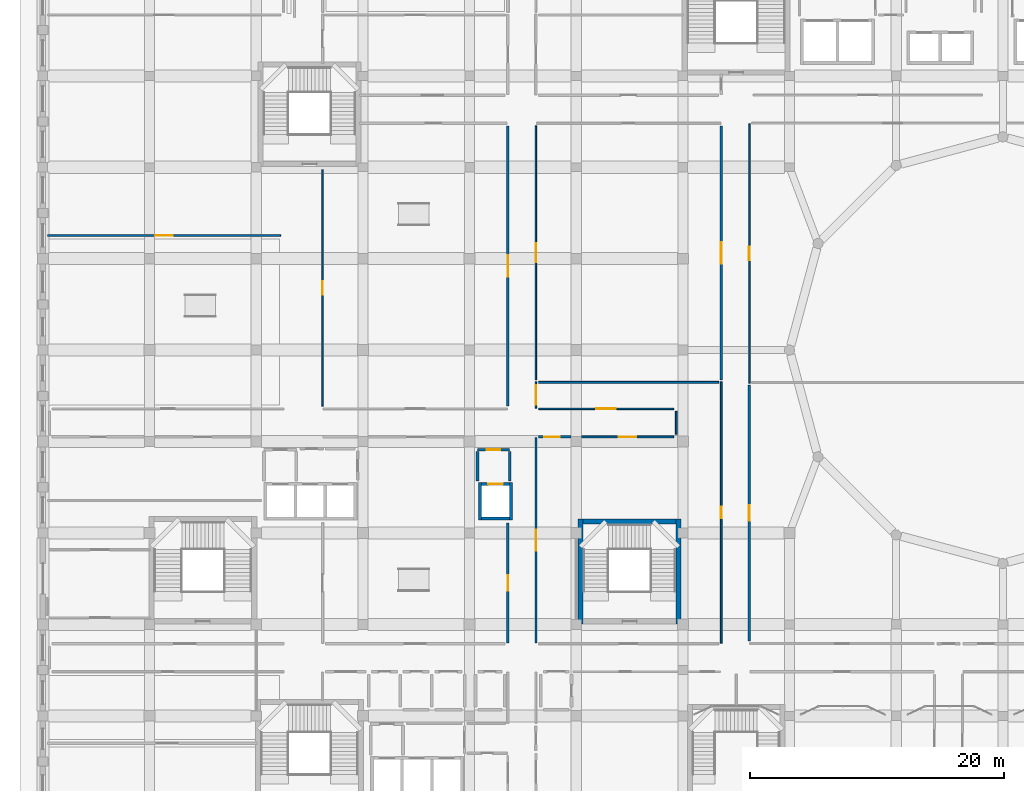
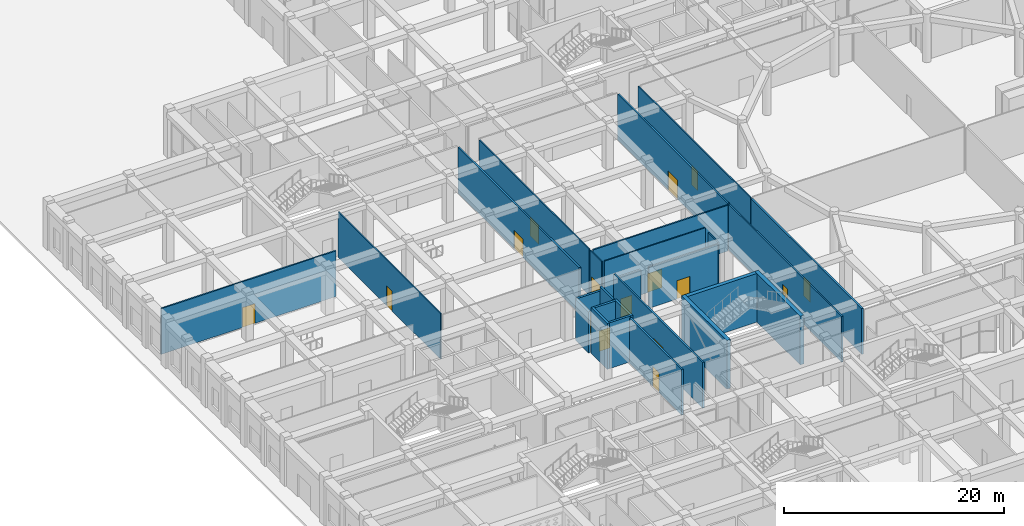
# One storey, part 65 of 84: 26 walls, 16 doors, 16 openings.
"""IFC4 building model written with IfcOpenShell, lengths in metres."""

from ifc_helpers import new_model, si_unit, derived_unit, direction, frame, frame_2d, origin, place, context, subcontext, project, spatial, rectangle, extrude, material, layer, layer_set, type_object, element, fill, save


model = new_model("IFC4")

# Units and contexts
model_context = context("Model", 3, precision=1e-05, world=origin(), true_north=direction((0.0, 1.0)))
body_context = subcontext(model_context, "Body", "Model", "MODEL_VIEW")
ifc_project = project(units=[si_unit("LENGTHUNIT", "METRE"), si_unit("AREAUNIT", "SQUARE_METRE"), si_unit("VOLUMEUNIT", "CUBIC_METRE"), si_unit("PLANEANGLEUNIT", "RADIAN"), si_unit("MASSUNIT", "GRAM", prefix="KILO"), derived_unit("THERMALTRANSMITTANCEUNIT", [(si_unit("POWERUNIT", "WATT"), 1), (si_unit("LENGTHUNIT", "METRE"), -2), (si_unit("THERMODYNAMICTEMPERATUREUNIT", "KELVIN"), -1)])], contexts=[model_context])

# Site, building, storey
site_placement = place(None, origin())
site = spatial("IfcSite", under=ifc_project, at=site_placement, CompositionType="ELEMENT")
building_placement = place(site_placement, origin())
building = spatial("IfcBuilding", under=site, at=building_placement, Name="Veybourne Emporium", CompositionType="ELEMENT")
storey_placement = place(building_placement, origin())
storey = spatial("IfcBuildingStorey", under=building, at=storey_placement, Name="L00", CompositionType="ELEMENT", Elevation=0.0)

# Walls
ifc_material_1 = material(Name="Concrete C40/50", Category="concrete")
ifc_layer_1 = layer(ifc_material_1, 0.39990234375)
ifc_layer_set_1 = layer_set([ifc_layer_1], Name="Concrete C40/50")
wall_type_1 = type_object("IfcWallType", Name="IntWall_CW-01", PredefinedType="SHEAR", material=ifc_layer_set_1)
wall_1_placement = place(storey_placement, frame((42.550048828125, 36.89990234375, 0.0), z_axis=(0.0, 0.0, 1.0), x_axis=(1.0, 0.0, 0.0)))
element("IfcWall", 1, at=wall_1_placement, inside=storey, type_object=wall_type_1, Name="Core stair ST-05 north shear wall (L00)", PredefinedType="SHEAR", context=body_context, shape_type="SweptSolid", body=[
    extrude(rectangle(XDim=7.300048828125, YDim=0.39990234375, at=frame_2d((3.64990234375, 0.0))), origin(), (0.0, 0.0, 1.0), 5.39990234375),
])
for number, where, z_axis, x_axis, name in (
    (2, (42.35009765625, 37.10009765625, 0.0), (0.0, 0.0, 1.0), (0.0, -1.0, 0.0), "Core stair ST-05 west shear wall (L00)"),
    (3, (50.050048828125, 28.85009765625, 0.0), (0.0, 0.0, 1.0), (0.0, 1.0, 0.0), "Core stair ST-05 east shear wall (L00)"),
):
    element("IfcWall", number, at=place(storey_placement, frame(where, z_axis=z_axis, x_axis=x_axis)), inside=storey, type_object=wall_type_1, Name=name, PredefinedType="SHEAR", context=body_context, shape_type="SweptSolid", body=[
        extrude(rectangle(XDim=8.25, YDim=0.39990234375, at=frame_2d((4.125, 0.0))), origin(), (0.0, 0.0, 1.0), 5.39990234375),
    ])

# Wall, opening, door
ifc_layer_2 = layer(ifc_material_1, 0.239990234375)
ifc_layer_set_2 = layer_set([ifc_layer_2], Name="Concrete C40/50")
wall_type_2 = type_object("IfcWallType", Name="IntWall_CW-04", PredefinedType="SHEAR", material=ifc_layer_set_2)
wall_2_placement = place(storey_placement, frame((36.760009765625, 39.8701171875, 0.0), z_axis=(0.0, 0.0, 1.0), x_axis=(-1.0, 0.0, 0.0)))
wall_2 = element("IfcWall", 4, at=wall_2_placement, inside=storey, type_object=wall_type_2, Name="Lift core C3 north shaft wall (L00)", PredefinedType="SHEAR", context=body_context, shape_type="SweptSolid", body=[
    extrude(rectangle(XDim=2.199951171875, YDim=0.239990234375, at=frame_2d((1.10009765625, 0.0))), origin(), (0.0, 0.0, 1.0), 5.080078125),
])
opening_1_placement = place(wall_2_placement, frame((0.52490234375, 0.0, 0.0)))
opening_1 = element("IfcOpeningElement", 5, at=opening_1_placement, cuts=wall_2, Name="Opening LD-02", PredefinedType="OPENING", context=body_context, shape_type="SweptSolid", body=[
    extrude(rectangle(XDim=1.14990234375, YDim=2.25, at=frame_2d((0.574951171875, 1.125))), frame((0.0, 0.14013671875, 0.0), z_axis=(0.0, -1.0, 0.0), x_axis=(1.0, 0.0, 0.0)), (0.0, 0.0, 1.0), 0.280029296875),
])
ifc_material_2 = material(Name="Patinated Architectural Bronze", Category="bronze")
door_type_1 = type_object("IfcDoorType", Name="FireDoor_LD-02", OperationType="SLIDING_TO_LEFT", PredefinedType="DOOR", material=ifc_material_2)
door_1_placement = place(opening_1_placement, origin())
door_1 = element("IfcDoor", 6, at=door_1_placement, inside=storey, type_object=door_type_1, Name="Lift FFL-03 sliding landing door (L00)", OperationType="SLIDING_TO_LEFT", OverallHeight=2.25, OverallWidth=1.14990234375, PredefinedType="DOOR", context=body_context, shape_type="SweptSolid", body=[
    extrude(rectangle(XDim=1.14990234375, YDim=2.25, at=frame_2d((0.574951171875, 1.125))), frame((0.0, 0.02490234375, 0.0), z_axis=(0.0, -1.0, 0.0), x_axis=(1.0, 0.0, 0.0)), (0.0, 0.0, 1.0), 0.050048828125),
])
fill(opening_1, door_1)

# Walls
wall_3_placement = place(storey_placement, frame((34.56005859375, 37.1298828125, 0.0), z_axis=(0.0, 0.0, 1.0), x_axis=(1.0, 0.0, 0.0)))
element("IfcWall", 7, at=wall_3_placement, inside=storey, type_object=wall_type_2, Name="Lift core C3 south shaft wall (L00)", PredefinedType="SHEAR", context=body_context, shape_type="SweptSolid", body=[
    extrude(rectangle(XDim=2.199951171875, YDim=0.239990234375, at=frame_2d((1.10009765625, 0.0))), origin(), (0.0, 0.0, 1.0), 5.080078125),
])
for number, where, z_axis, x_axis, name in (
    (8, (34.43994140625, 39.989990234375, 0.0), (0.0, 0.0, 1.0), (0.0, -1.0, 0.0), "Lift core C3 west shaft wall (L00)"),
    (9, (36.8798828125, 37.010009765625, 0.0), (0.0, 0.0, 1.0), (0.0, 1.0, 0.0), "Lift core C3 east shaft wall (L00)"),
):
    element("IfcWall", number, at=place(storey_placement, frame(where, z_axis=z_axis, x_axis=x_axis)), inside=storey, type_object=wall_type_2, Name=name, PredefinedType="SHEAR", context=body_context, shape_type="SweptSolid", body=[
        extrude(rectangle(XDim=2.97998046875, YDim=0.239990234375, at=frame_2d((1.489990234375, 0.0))), origin(), (0.0, 0.0, 1.0), 5.080078125),
    ])

# Wall, opening, door
ifc_material_3 = material(Name="Concrete C32/40", Category="concrete")
ifc_layer_3 = layer(ifc_material_3, 0.219970703125)
ifc_layer_set_3 = layer_set([ifc_layer_3], Name="Concrete C32/40")
wall_type_3 = type_object("IfcWallType", Name="IntWall_FW-02", PredefinedType="SOLIDWALL", material=ifc_layer_set_3)
wall_4_placement = place(storey_placement, frame((34.219970703125, 42.550048828125, 0.0), z_axis=(0.0, 0.0, 1.0), x_axis=(1.0, 0.0, 0.0)))
wall_4 = element("IfcWall", 10, at=wall_4_placement, inside=storey, type_object=wall_type_3, Name="Firefighting lobby C3 fire wall N (L00)", PredefinedType="SOLIDWALL", context=body_context, shape_type="SweptSolid", body=[
    extrude(rectangle(XDim=2.5400390625, YDim=0.219970703125, at=frame_2d((1.27001953125, 0.0))), origin(), (0.0, 0.0, 1.0), 4.580078125),
])
opening_2_placement = place(wall_4_placement, frame((0.7451171875, 0.0, 0.0)))
opening_2 = element("IfcOpeningElement", 11, at=opening_2_placement, cuts=wall_4, Name="Opening FD-02", PredefinedType="OPENING", context=body_context, shape_type="SweptSolid", body=[
    extrude(rectangle(XDim=1.050048828125, YDim=2.14990234375, at=frame_2d((0.52490234375, 1.074951171875))), frame((0.0, 0.1298828125, 0.0), z_axis=(0.0, -1.0, 0.0), x_axis=(1.0, 0.0, 0.0)), (0.0, 0.0, 1.0), 0.260009765625),
])
door_type_2 = type_object("IfcDoorType", Name="FireDoor_FD-02", OperationType="NOTDEFINED", PredefinedType="DOOR", material=ifc_material_2)
door_2_placement = place(opening_2_placement, origin())
door_2 = element("IfcDoor", 12, at=door_2_placement, inside=storey, type_object=door_type_2, Name="Firefighting lobby C3 FD60S door N (L00)", OperationType="SINGLE_SWING_RIGHT", OverallHeight=2.14990234375, OverallWidth=1.050048828125, PredefinedType="DOOR", context=body_context, shape_type="SweptSolid", body=[
    extrude(rectangle(XDim=1.050048828125, YDim=2.14990234375, at=frame_2d((0.52490234375, 1.074951171875))), frame((0.0, 0.02490234375, 0.0), z_axis=(0.0, -1.0, 0.0), x_axis=(1.0, 0.0, 0.0)), (0.0, 0.0, 1.0), 0.050048828125),
])
fill(opening_2, door_2)

# Walls
wall_5_placement = place(storey_placement, frame((34.219970703125, 40.110107421875, 0.0), z_axis=(0.0, 0.0, 1.0), x_axis=(0.0, 1.0, 0.0)))
element("IfcWall", 13, at=wall_5_placement, inside=storey, type_object=wall_type_3, Name="Firefighting lobby C3 fire wall W (L00)", PredefinedType="SOLIDWALL", context=body_context, shape_type="SweptSolid", body=[
    extrude(rectangle(XDim=2.31982421875, YDim=0.219970703125, at=frame_2d((1.159912109375, 0.0))), origin(), (0.0, 0.0, 1.0), 4.580078125),
])
wall_6_placement = place(storey_placement, frame((36.760009765625, 40.110107421875, 0.0), z_axis=(0.0, 0.0, 1.0), x_axis=(0.0, 1.0, 0.0)))
element("IfcWall", 14, at=wall_6_placement, inside=storey, type_object=wall_type_3, Name="Firefighting lobby C3 fire wall E (L00)", PredefinedType="SOLIDWALL", context=body_context, shape_type="SweptSolid", body=[
    extrude(rectangle(XDim=2.31982421875, YDim=0.219970703125, at=frame_2d((1.159912109375, 0.0))), origin(), (0.0, 0.0, 1.0), 5.080078125),
])

# Wall, opening, door
ifc_material_4 = material(Name="Gypsum Acoustic Board", Category="gypsum")
ifc_layer_4 = layer(ifc_material_4, 0.179931640625)
ifc_layer_set_4 = layer_set([ifc_layer_4], Name="Gypsum Acoustic Board")
wall_type_4 = type_object("IfcWallType", Name="IntWall_IW-01", PredefinedType="PARTITIONING", material=ifc_layer_set_4)
wall_7_placement = place(storey_placement, frame((36.6201171875, 45.989990234375, 0.0), z_axis=(0.0, 0.0, 1.0), x_axis=(0.0, 1.0, 0.0)))
wall_7 = element("IfcWall", 15, at=wall_7_placement, inside=storey, type_object=wall_type_4, Name="L00 interior partition IW-01 #002", PredefinedType="PARTITIONING", context=body_context, shape_type="SweptSolid", body=[
    extrude(rectangle(XDim=22.070068359375, YDim=0.179931640625, at=frame_2d((11.03515625, 0.0))), origin(), (0.0, 0.0, 1.0), 5.080078125),
])
opening_3_placement = place(wall_7_placement, frame((10.195068359375, 0.0, 0.0)))
opening_3 = element("IfcOpeningElement", 16, at=opening_3_placement, cuts=wall_7, Name="Opening D-06", PredefinedType="OPENING", context=body_context, shape_type="SweptSolid", body=[
    extrude(rectangle(XDim=1.679931640625, YDim=2.050048828125, at=frame_2d((0.83984375, 1.02490234375))), frame((0.0, 0.10986328125, 0.0), z_axis=(0.0, -1.0, 0.0), x_axis=(1.0, 0.0, 0.0)), (0.0, 0.0, 1.0), 0.219970703125),
])
ifc_material_5 = material(Name="European Oak Veneer and Bronze", Category="wood")
door_type_3 = type_object("IfcDoorType", Name="IntDoor_D-06", OperationType="DOUBLE_DOOR_SINGLE_SWING", PredefinedType="DOOR", material=ifc_material_5)
door_3_placement = place(opening_3_placement, origin())
door_3 = element("IfcDoor", 17, at=door_3_placement, inside=storey, type_object=door_type_3, Name="L00 interior door D-06 (PART-L00-002)", OperationType="DOUBLE_DOOR_SINGLE_SWING", OverallHeight=2.050048828125, OverallWidth=1.679931640625, PredefinedType="DOOR", context=body_context, shape_type="SweptSolid", body=[
    extrude(rectangle(XDim=1.679931640625, YDim=2.050048828125, at=frame_2d((0.83984375, 1.02490234375))), frame((0.0, 0.02490234375, 0.0), z_axis=(0.0, -1.0, 0.0), x_axis=(1.0, 0.0, 0.0)), (0.0, 0.0, 1.0), 0.050048828125),
])
fill(opening_3, door_3)

wall_8_placement = place(storey_placement, frame((55.6298828125, 27.489990234375, 0.0), z_axis=(0.0, 0.0, 1.0), x_axis=(0.0, 1.0, 0.0)))
wall_8 = element("IfcWall", 18, at=wall_8_placement, inside=storey, type_object=wall_type_4, Name="L00 interior partition IW-01 #005", PredefinedType="PARTITIONING", context=body_context, shape_type="SweptSolid", body=[
    extrude(rectangle(XDim=20.155029296875, YDim=0.179931640625, at=frame_2d((10.07763671875, 0.0))), origin(), (0.0, 0.0, 1.0), 5.080078125),
])
opening_4_placement = place(wall_8_placement, frame((9.4775390625, 0.0, 0.0)))
opening_4 = element("IfcOpeningElement", 19, at=opening_4_placement, cuts=wall_8, Name="Opening D-09", PredefinedType="OPENING", context=body_context, shape_type="SweptSolid", body=[
    extrude(rectangle(XDim=1.199951171875, YDim=2.1298828125, at=frame_2d((0.60009765625, 1.06494140625))), frame((0.0, 0.10986328125, 0.0), z_axis=(0.0, -1.0, 0.0), x_axis=(1.0, 0.0, 0.0)), (0.0, 0.0, 1.0), 0.219970703125),
])
door_type_4 = type_object("IfcDoorType", Name="IntDoor_D-09", OperationType="NOTDEFINED", PredefinedType="DOOR", material=ifc_material_5)
door_4_placement = place(opening_4_placement, frame((1.199951171875, 0.0, 0.0), z_axis=(0.0, 0.0, 1.0), x_axis=(-1.0, 0.0, 0.0)))
door_4 = element("IfcDoor", 20, at=door_4_placement, inside=storey, type_object=door_type_4, Name="L00 interior door D-09 (PART-L00-005)", OperationType="SINGLE_SWING_RIGHT", OverallHeight=2.1298828125, OverallWidth=1.199951171875, PredefinedType="DOOR", context=body_context, shape_type="SweptSolid", body=[
    extrude(rectangle(XDim=1.199951171875, YDim=2.1298828125, at=frame_2d((0.60009765625, 1.06494140625))), frame((0.0, 0.02490234375, 0.0), z_axis=(0.0, -1.0, 0.0), x_axis=(1.0, 0.0, 0.0)), (0.0, 0.0, 1.0), 0.050048828125),
])
fill(opening_4, door_4)

wall_9_placement = place(storey_placement, frame((53.419921875, 48.06494140625, 0.0), z_axis=(0.0, 0.0, 1.0), x_axis=(0.0, 1.0, 0.0)))
wall_9 = element("IfcWall", 21, at=wall_9_placement, inside=storey, type_object=wall_type_4, Name="L00 interior partition IW-01 #008", PredefinedType="PARTITIONING", context=body_context, shape_type="SweptSolid", body=[
    extrude(rectangle(XDim=19.9951171875, YDim=0.179931640625, at=frame_2d((9.99755859375, 0.0))), origin(), (0.0, 0.0, 1.0), 5.080078125),
])
opening_5_placement = place(wall_9_placement, frame((9.157470703125, 0.0, 0.0)))
opening_5 = element("IfcOpeningElement", 22, at=opening_5_placement, cuts=wall_9, Name="Opening D-12", PredefinedType="OPENING", context=body_context, shape_type="SweptSolid", body=[
    extrude(rectangle(XDim=1.679931640625, YDim=2.1298828125, at=frame_2d((0.83984375, 1.06494140625))), frame((0.0, 0.10986328125, 0.0), z_axis=(0.0, -1.0, 0.0), x_axis=(1.0, 0.0, 0.0)), (0.0, 0.0, 1.0), 0.219970703125),
])
door_type_5 = type_object("IfcDoorType", Name="IntDoor_D-12", OperationType="DOUBLE_DOOR_SINGLE_SWING", PredefinedType="DOOR", material=ifc_material_5)
door_5_placement = place(opening_5_placement, origin())
door_5 = element("IfcDoor", 23, at=door_5_placement, inside=storey, type_object=door_type_5, Name="L00 interior door D-12 (PART-L00-008)", OperationType="DOUBLE_DOOR_SINGLE_SWING", OverallHeight=2.1298828125, OverallWidth=1.679931640625, PredefinedType="DOOR", context=body_context, shape_type="SweptSolid", body=[
    extrude(rectangle(XDim=1.679931640625, YDim=2.1298828125, at=frame_2d((0.83984375, 1.06494140625))), frame((0.0, 0.02490234375, 0.0), z_axis=(0.0, -1.0, 0.0), x_axis=(1.0, 0.0, 0.0)), (0.0, 0.0, 1.0), 0.050048828125),
])
fill(opening_5, door_5)

wall_10_placement = place(storey_placement, frame((38.830078125, 27.330078125, 0.0), z_axis=(0.0, 0.0, 1.0), x_axis=(0.0, 1.0, 0.0)))
wall_10 = element("IfcWall", 24, at=wall_10_placement, inside=storey, type_object=wall_type_4, Name="L00 interior partition IW-01 #026", PredefinedType="PARTITIONING", context=body_context, shape_type="SweptSolid", body=[
    extrude(rectangle(XDim=16.18994140625, YDim=0.179931640625, at=frame_2d((8.094970703125, 0.0))), origin(), (0.0, 0.0, 1.0), 5.080078125),
])
opening_6_placement = place(wall_10_placement, frame((7.2548828125, 0.0, 0.0)))
opening_6 = element("IfcOpeningElement", 25, at=opening_6_placement, cuts=wall_10, Name="Opening D-30", PredefinedType="OPENING", context=body_context, shape_type="SweptSolid", body=[
    extrude(rectangle(XDim=1.679931640625, YDim=2.3701171875, at=frame_2d((0.83984375, 1.18505859375))), frame((0.0, 0.10986328125, 0.0), z_axis=(0.0, -1.0, 0.0), x_axis=(1.0, 0.0, 0.0)), (0.0, 0.0, 1.0), 0.219970703125),
])
door_type_6 = type_object("IfcDoorType", Name="IntDoor_D-30", OperationType="DOUBLE_DOOR_SINGLE_SWING", PredefinedType="DOOR", material=ifc_material_5)
door_6_placement = place(opening_6_placement, frame((1.679931640625, 0.0, 0.0), z_axis=(0.0, 0.0, 1.0), x_axis=(-1.0, 0.0, 0.0)))
door_6 = element("IfcDoor", 26, at=door_6_placement, inside=storey, type_object=door_type_6, Name="L00 interior door D-30 (PART-L00-026)", OperationType="DOUBLE_DOOR_SINGLE_SWING", OverallHeight=2.3701171875, OverallWidth=1.679931640625, PredefinedType="DOOR", context=body_context, shape_type="SweptSolid", body=[
    extrude(rectangle(XDim=1.679931640625, YDim=2.3701171875, at=frame_2d((0.83984375, 1.18505859375))), frame((0.0, 0.02490234375, 0.0), z_axis=(0.0, -1.0, 0.0), x_axis=(1.0, 0.0, 0.0)), (0.0, 0.0, 1.0), 0.050048828125),
])
fill(opening_6, door_6)

wall_11_placement = place(storey_placement, frame((39.0400390625, 43.570068359375, 0.0), z_axis=(0.0, 0.0, 1.0), x_axis=(1.0, 0.0, 0.0)))
wall_11 = element("IfcWall", 27, at=wall_11_placement, inside=storey, type_object=wall_type_4, Name="L00 interior partition IW-01 #071", PredefinedType="PARTITIONING", context=body_context, shape_type="SweptSolid", body=[
    extrude(rectangle(XDim=2.5400390625, YDim=0.179931640625, at=frame_2d((1.27001953125, 0.0))), origin(), (0.0, 0.0, 1.0), 4.580078125),
])
opening_7_placement = place(wall_11_placement, frame((0.45556640625, 0.0, 0.0)))
opening_7 = element("IfcOpeningElement", 28, at=opening_7_placement, cuts=wall_11, Name="Opening D-03", PredefinedType="OPENING", context=body_context, shape_type="SweptSolid", body=[
    extrude(rectangle(XDim=1.199951171875, YDim=2.050048828125, at=frame_2d((0.60009765625, 1.02490234375))), frame((0.0, 0.10986328125, 0.0), z_axis=(0.0, -1.0, 0.0), x_axis=(1.0, 0.0, 0.0)), (0.0, 0.0, 1.0), 0.219970703125),
])
door_type_7 = type_object("IfcDoorType", Name="IntDoor_D-03", OperationType="NOTDEFINED", PredefinedType="DOOR", material=ifc_material_5)
door_7_placement = place(opening_7_placement, frame((1.199951171875, 0.0, 0.0), z_axis=(0.0, 0.0, 1.0), x_axis=(-1.0, 0.0, 0.0)))
door_7 = element("IfcDoor", 29, at=door_7_placement, inside=storey, type_object=door_type_7, Name="L00 interior door D-03 (PART-L00-071)", OperationType="SINGLE_SWING_LEFT", OverallHeight=2.050048828125, OverallWidth=1.199951171875, PredefinedType="DOOR", context=body_context, shape_type="SweptSolid", body=[
    extrude(rectangle(XDim=1.199951171875, YDim=2.050048828125, at=frame_2d((0.60009765625, 1.02490234375))), frame((0.0, 0.02490234375, 0.0), z_axis=(0.0, -1.0, 0.0), x_axis=(1.0, 0.0, 0.0)), (0.0, 0.0, 1.0), 0.050048828125),
])
fill(opening_7, door_7)

wall_12_placement = place(storey_placement, frame((36.6201171875, 27.330078125, 0.0), z_axis=(0.0, 0.0, 1.0), x_axis=(0.0, 1.0, 0.0)))
wall_12 = element("IfcWall", 30, at=wall_12_placement, inside=storey, type_object=wall_type_4, Name="L00 interior partition IW-01 #083", PredefinedType="PARTITIONING", context=body_context, shape_type="SweptSolid", body=[
    extrude(rectangle(XDim=9.469970703125, YDim=0.179931640625, at=frame_2d((4.73486328125, 0.0))), origin(), (0.0, 0.0, 1.0), 5.080078125),
])
opening_8_placement = place(wall_12_placement, frame((4.135009765625, 0.0, 0.0)))
opening_8 = element("IfcOpeningElement", 31, at=opening_8_placement, cuts=wall_12, Name="Opening D-15", PredefinedType="OPENING", context=body_context, shape_type="SweptSolid", body=[
    extrude(rectangle(XDim=1.199951171875, YDim=2.2099609375, at=frame_2d((0.60009765625, 1.10498046875))), frame((0.0, 0.10986328125, 0.0), z_axis=(0.0, -1.0, 0.0), x_axis=(1.0, 0.0, 0.0)), (0.0, 0.0, 1.0), 0.219970703125),
])
door_type_8 = type_object("IfcDoorType", Name="IntDoor_D-15", OperationType="NOTDEFINED", PredefinedType="DOOR", material=ifc_material_5)
door_8_placement = place(opening_8_placement, origin())
door_8 = element("IfcDoor", 32, at=door_8_placement, inside=storey, type_object=door_type_8, Name="L00 interior door D-15 (PART-L00-083)", OperationType="SINGLE_SWING_LEFT", OverallHeight=2.2099609375, OverallWidth=1.199951171875, PredefinedType="DOOR", context=body_context, shape_type="SweptSolid", body=[
    extrude(rectangle(XDim=1.199951171875, YDim=2.2099609375, at=frame_2d((0.60009765625, 1.10498046875))), frame((0.0, 0.02490234375, 0.0), z_axis=(0.0, -1.0, 0.0), x_axis=(1.0, 0.0, 0.0)), (0.0, 0.0, 1.0), 0.050048828125),
])
fill(opening_8, door_8)

ifc_layer_5 = layer(ifc_material_4, 0.14990234375)
ifc_layer_set_5 = layer_set([ifc_layer_5], Name="Gypsum Acoustic Board")
wall_type_5 = type_object("IfcWallType", Name="IntWall_IW-02", PredefinedType="PARTITIONING", material=ifc_layer_set_5)
wall_13_placement = place(storey_placement, frame((53.419921875, 27.330078125, 0.0), z_axis=(0.0, 0.0, 1.0), x_axis=(0.0, 1.0, 0.0)))
wall_13 = element("IfcWall", 33, at=wall_13_placement, inside=storey, type_object=wall_type_5, Name="L00 interior partition IW-02 #003", PredefinedType="PARTITIONING", context=body_context, shape_type="SweptSolid", body=[
    extrude(rectangle(XDim=20.574951171875, YDim=0.14990234375, at=frame_2d((10.28759765625, 0.0))), origin(), (0.0, 0.0, 1.0), 5.080078125),
])
opening_9_placement = place(wall_13_placement, frame((9.847412109375, 0.0, 0.0)))
opening_9 = element("IfcOpeningElement", 34, at=opening_9_placement, cuts=wall_13, Name="Opening D-07", PredefinedType="OPENING", context=body_context, shape_type="SweptSolid", body=[
    extrude(rectangle(XDim=0.8798828125, YDim=2.1298828125, at=frame_2d((0.43994140625, 1.06494140625))), frame((0.0, 0.094970703125, 0.0), z_axis=(0.0, -1.0, 0.0), x_axis=(1.0, 0.0, 0.0)), (0.0, 0.0, 1.0), 0.18994140625),
])
door_type_9 = type_object("IfcDoorType", Name="IntDoor_D-07", OperationType="NOTDEFINED", PredefinedType="DOOR", material=ifc_material_5)
door_9_placement = place(opening_9_placement, origin())
door_9 = element("IfcDoor", 35, at=door_9_placement, inside=storey, type_object=door_type_9, Name="L00 interior door D-07 (PART-L00-003)", OperationType="SINGLE_SWING_RIGHT", OverallHeight=2.1298828125, OverallWidth=0.8798828125, PredefinedType="DOOR", context=body_context, shape_type="SweptSolid", body=[
    extrude(rectangle(XDim=0.8798828125, YDim=2.1298828125, at=frame_2d((0.43994140625, 1.06494140625))), frame((0.0, 0.02490234375, 0.0), z_axis=(0.0, -1.0, 0.0), x_axis=(1.0, 0.0, 0.0)), (0.0, 0.0, 1.0), 0.050048828125),
])
fill(opening_9, door_9)

wall_14_placement = place(storey_placement, frame((0.3701171875, 59.429931640625, 0.0), z_axis=(0.0, 0.0, 1.0), x_axis=(1.0, 0.0, 0.0)))
wall_14 = element("IfcWall", 36, at=wall_14_placement, inside=storey, type_object=wall_type_5, Name="L00 interior partition IW-02 #012", PredefinedType="PARTITIONING", context=body_context, shape_type="SweptSolid", body=[
    extrude(rectangle(XDim=18.352783203125, YDim=0.14990234375, at=frame_2d((9.17626953125, 0.0))), origin(), (0.0, 0.0, 1.0), 5.080078125),
])
opening_10_placement = place(wall_14_placement, frame((8.49658203125, 0.0, 0.0)))
opening_10 = element("IfcOpeningElement", 37, at=opening_10_placement, cuts=wall_14, Name="Opening D-16", PredefinedType="OPENING", context=body_context, shape_type="SweptSolid", body=[
    extrude(rectangle(XDim=1.360107421875, YDim=2.2099609375, at=frame_2d((0.68017578125, 1.10498046875))), frame((0.0, 0.094970703125, 0.0), z_axis=(0.0, -1.0, 0.0), x_axis=(1.0, 0.0, 0.0)), (0.0, 0.0, 1.0), 0.18994140625),
])
door_type_10 = type_object("IfcDoorType", Name="IntDoor_D-16", OperationType="NOTDEFINED", PredefinedType="DOOR", material=ifc_material_5)
door_10_placement = place(opening_10_placement, origin())
door_10 = element("IfcDoor", 38, at=door_10_placement, inside=storey, type_object=door_type_10, Name="L00 interior door D-16 (PART-L00-012)", OperationType="SINGLE_SWING_RIGHT", OverallHeight=2.2099609375, OverallWidth=1.360107421875, PredefinedType="DOOR", context=body_context, shape_type="SweptSolid", body=[
    extrude(rectangle(XDim=1.360107421875, YDim=2.2099609375, at=frame_2d((0.68017578125, 1.10498046875))), frame((0.0, 0.02490234375, 0.0), z_axis=(0.0, -1.0, 0.0), x_axis=(1.0, 0.0, 0.0)), (0.0, 0.0, 1.0), 0.050048828125),
])
fill(opening_10, door_10)

wall_15_placement = place(storey_placement, frame((42.419921875, 43.570068359375, 0.0), z_axis=(0.0, 0.0, 1.0), x_axis=(1.0, 0.0, 0.0)))
wall_15 = element("IfcWall", 39, at=wall_15_placement, inside=storey, type_object=wall_type_5, Name="L00 interior partition IW-02 #072", PredefinedType="PARTITIONING", context=body_context, shape_type="SweptSolid", body=[
    extrude(rectangle(XDim=7.25, YDim=0.14990234375, at=frame_2d((3.625, 0.0))), origin(), (0.0, 0.0, 1.0), 4.580078125),
])
opening_11_placement = place(wall_15_placement, frame((2.945068359375, 0.0, 0.0)))
opening_11 = element("IfcOpeningElement", 40, at=opening_11_placement, cuts=wall_15, Name="Opening D-04", PredefinedType="OPENING", context=body_context, shape_type="SweptSolid", body=[
    extrude(rectangle(XDim=1.360107421875, YDim=2.050048828125, at=frame_2d((0.68017578125, 1.02490234375))), frame((0.0, 0.094970703125, 0.0), z_axis=(0.0, -1.0, 0.0), x_axis=(1.0, 0.0, 0.0)), (0.0, 0.0, 1.0), 0.18994140625),
])
door_type_11 = type_object("IfcDoorType", Name="IntDoor_D-04", OperationType="NOTDEFINED", PredefinedType="DOOR", material=ifc_material_5)
door_11_placement = place(opening_11_placement, frame((1.360107421875, 0.0, 0.0), z_axis=(0.0, 0.0, 1.0), x_axis=(-1.0, 0.0, 0.0)))
door_11 = element("IfcDoor", 41, at=door_11_placement, inside=storey, type_object=door_type_11, Name="L00 interior door D-04 (PART-L00-072)", OperationType="SINGLE_SWING_RIGHT", OverallHeight=2.050048828125, OverallWidth=1.360107421875, PredefinedType="DOOR", context=body_context, shape_type="SweptSolid", body=[
    extrude(rectangle(XDim=1.360107421875, YDim=2.050048828125, at=frame_2d((0.68017578125, 1.02490234375))), frame((0.0, 0.02490234375, 0.0), z_axis=(0.0, -1.0, 0.0), x_axis=(1.0, 0.0, 0.0)), (0.0, 0.0, 1.0), 0.050048828125),
])
fill(opening_11, door_11)

# Wall
wall_16_placement = place(storey_placement, frame((39.0400390625, 47.85498046875, 0.0), z_axis=(0.0, 0.0, 1.0), x_axis=(1.0, 0.0, 0.0)))
element("IfcWall", 42, at=wall_16_placement, inside=storey, type_object=wall_type_5, Name="L00 interior partition IW-02 #207", PredefinedType="PARTITIONING", context=body_context, shape_type="SweptSolid", body=[
    extrude(rectangle(XDim=14.169921875, YDim=0.14990234375, at=frame_2d((7.0849609375, 0.0))), origin(), (0.0, 0.0, 1.0), 5.080078125),
])

# Wall, opening, door
ifc_layer_6 = layer(ifc_material_4, 0.1201171875)
ifc_layer_set_6 = layer_set([ifc_layer_6], Name="Gypsum Acoustic Board")
wall_type_6 = type_object("IfcWallType", Name="IntWall_IW-03", PredefinedType="PARTITIONING", material=ifc_layer_set_6)
wall_17_placement = place(storey_placement, frame((55.6298828125, 47.804931640625, 0.0), z_axis=(0.0, 0.0, 1.0), x_axis=(0.0, 1.0, 0.0)))
wall_17 = element("IfcWall", 43, at=wall_17_placement, inside=storey, type_object=wall_type_6, Name="L00 interior partition IW-03 #004", PredefinedType="PARTITIONING", context=body_context, shape_type="SweptSolid", body=[
    extrude(rectangle(XDim=20.4150390625, YDim=0.1201171875, at=frame_2d((10.20751953125, 0.0))), origin(), (0.0, 0.0, 1.0), 5.080078125),
])
opening_12_placement = place(wall_17_placement, frame((9.6875, 0.0, 0.0)))
opening_12 = element("IfcOpeningElement", 44, at=opening_12_placement, cuts=wall_17, Name="Opening D-08", PredefinedType="OPENING", context=body_context, shape_type="SweptSolid", body=[
    extrude(rectangle(XDim=1.0400390625, YDim=2.1298828125, at=frame_2d((0.52001953125, 1.06494140625))), frame((0.0, 0.080078125, 0.0), z_axis=(0.0, -1.0, 0.0), x_axis=(1.0, 0.0, 0.0)), (0.0, 0.0, 1.0), 0.16015625),
])
door_type_12 = type_object("IfcDoorType", Name="IntDoor_D-08", OperationType="NOTDEFINED", PredefinedType="DOOR", material=ifc_material_5)
door_12_placement = place(opening_12_placement, frame((1.0400390625, 0.0, 0.0), z_axis=(0.0, 0.0, 1.0), x_axis=(-1.0, 0.0, 0.0)))
door_12 = element("IfcDoor", 45, at=door_12_placement, inside=storey, type_object=door_type_12, Name="L00 interior door D-08 (PART-L00-004)", OperationType="SINGLE_SWING_LEFT", OverallHeight=2.1298828125, OverallWidth=1.0400390625, PredefinedType="DOOR", context=body_context, shape_type="SweptSolid", body=[
    extrude(rectangle(XDim=1.0400390625, YDim=2.1298828125, at=frame_2d((0.52001953125, 1.06494140625))), frame((0.0, 0.02490234375, 0.0), z_axis=(0.0, -1.0, 0.0), x_axis=(1.0, 0.0, 0.0)), (0.0, 0.0, 1.0), 0.050048828125),
])
fill(opening_12, door_12)

wall_18_placement = place(storey_placement, frame((38.830078125, 48.06494140625, 0.0), z_axis=(0.0, 0.0, 1.0), x_axis=(0.0, 1.0, 0.0)))
wall_18 = element("IfcWall", 46, at=wall_18_placement, inside=storey, type_object=wall_type_6, Name="L00 interior partition IW-03 #007", PredefinedType="PARTITIONING", context=body_context, shape_type="SweptSolid", body=[
    extrude(rectangle(XDim=19.9951171875, YDim=0.1201171875, at=frame_2d((9.99755859375, 0.0))), origin(), (0.0, 0.0, 1.0), 5.080078125),
])
opening_13_placement = place(wall_18_placement, frame((9.237548828125, 0.0, 0.0)))
opening_13 = element("IfcOpeningElement", 47, at=opening_13_placement, cuts=wall_18, Name="Opening D-11", PredefinedType="OPENING", context=body_context, shape_type="SweptSolid", body=[
    extrude(rectangle(XDim=1.52001953125, YDim=2.1298828125, at=frame_2d((0.760009765625, 1.06494140625))), frame((0.0, 0.080078125, 0.0), z_axis=(0.0, -1.0, 0.0), x_axis=(1.0, 0.0, 0.0)), (0.0, 0.0, 1.0), 0.16015625),
])
door_type_13 = type_object("IfcDoorType", Name="IntDoor_D-11", OperationType="NOTDEFINED", PredefinedType="DOOR", material=ifc_material_5)
door_13_placement = place(opening_13_placement, frame((1.52001953125, 0.0, 0.0), z_axis=(0.0, 0.0, 1.0), x_axis=(-1.0, 0.0, 0.0)))
door_13 = element("IfcDoor", 48, at=door_13_placement, inside=storey, type_object=door_type_13, Name="L00 interior door D-11 (PART-L00-007)", OperationType="SINGLE_SWING_RIGHT", OverallHeight=2.1298828125, OverallWidth=1.52001953125, PredefinedType="DOOR", context=body_context, shape_type="SweptSolid", body=[
    extrude(rectangle(XDim=1.52001953125, YDim=2.1298828125, at=frame_2d((0.760009765625, 1.06494140625))), frame((0.0, 0.02490234375, 0.0), z_axis=(0.0, -1.0, 0.0), x_axis=(1.0, 0.0, 0.0)), (0.0, 0.0, 1.0), 0.050048828125),
])
fill(opening_13, door_13)

wall_19_placement = place(storey_placement, frame((22.030029296875, 45.989990234375, 0.0), z_axis=(0.0, 0.0, 1.0), x_axis=(0.0, 1.0, 0.0)))
wall_19 = element("IfcWall", 49, at=wall_19_placement, inside=storey, type_object=wall_type_6, Name="L00 interior partition IW-03 #010", PredefinedType="PARTITIONING", context=body_context, shape_type="SweptSolid", body=[
    extrude(rectangle(XDim=18.621337890625, YDim=0.1201171875, at=frame_2d((9.310546875, 0.0))), origin(), (0.0, 0.0, 1.0), 5.080078125),
])
opening_14_placement = place(wall_19_placement, frame((8.790771484375, 0.0, 0.0)))
opening_14 = element("IfcOpeningElement", 50, at=opening_14_placement, cuts=wall_19, Name="Opening D-14", PredefinedType="OPENING", context=body_context, shape_type="SweptSolid", body=[
    extrude(rectangle(XDim=1.0400390625, YDim=2.2099609375, at=frame_2d((0.52001953125, 1.10498046875))), frame((0.0, 0.080078125, 0.0), z_axis=(0.0, -1.0, 0.0), x_axis=(1.0, 0.0, 0.0)), (0.0, 0.0, 1.0), 0.16015625),
])
door_type_14 = type_object("IfcDoorType", Name="IntDoor_D-14", OperationType="NOTDEFINED", PredefinedType="DOOR", material=ifc_material_5)
door_14_placement = place(opening_14_placement, frame((1.0400390625, 0.0, 0.0), z_axis=(0.0, 0.0, 1.0), x_axis=(-1.0, 0.0, 0.0)))
door_14 = element("IfcDoor", 51, at=door_14_placement, inside=storey, type_object=door_type_14, Name="L00 interior door D-14 (PART-L00-010)", OperationType="SINGLE_SWING_RIGHT", OverallHeight=2.2099609375, OverallWidth=1.0400390625, PredefinedType="DOOR", context=body_context, shape_type="SweptSolid", body=[
    extrude(rectangle(XDim=1.0400390625, YDim=2.2099609375, at=frame_2d((0.52001953125, 1.10498046875))), frame((0.0, 0.02490234375, 0.0), z_axis=(0.0, -1.0, 0.0), x_axis=(1.0, 0.0, 0.0)), (0.0, 0.0, 1.0), 0.050048828125),
])
fill(opening_14, door_14)

wall_20_placement = place(storey_placement, frame((39.0400390625, 45.780029296875, 0.0), z_axis=(0.0, 0.0, 1.0), x_axis=(1.0, 0.0, 0.0)))
wall_20 = element("IfcWall", 52, at=wall_20_placement, inside=storey, type_object=wall_type_6, Name="L00 interior partition IW-03 #073", PredefinedType="PARTITIONING", context=body_context, shape_type="SweptSolid", body=[
    extrude(rectangle(XDim=10.6298828125, YDim=0.1201171875, at=frame_2d((5.31494140625, 0.0))), origin(), (0.0, 0.0, 1.0), 5.080078125),
])
opening_15_placement = place(wall_20_placement, frame((4.554931640625, 0.0, 0.0)))
opening_15 = element("IfcOpeningElement", 53, at=opening_15_placement, cuts=wall_20, Name="Opening D-05", PredefinedType="OPENING", context=body_context, shape_type="SweptSolid", body=[
    extrude(rectangle(XDim=1.52001953125, YDim=2.050048828125, at=frame_2d((0.760009765625, 1.02490234375))), frame((0.0, 0.080078125, 0.0), z_axis=(0.0, -1.0, 0.0), x_axis=(1.0, 0.0, 0.0)), (0.0, 0.0, 1.0), 0.16015625),
])
door_type_15 = type_object("IfcDoorType", Name="IntDoor_D-05", OperationType="NOTDEFINED", PredefinedType="DOOR", material=ifc_material_5)
door_15_placement = place(opening_15_placement, origin())
door_15 = element("IfcDoor", 54, at=door_15_placement, inside=storey, type_object=door_type_15, Name="L00 interior door D-05 (PART-L00-073)", OperationType="SINGLE_SWING_LEFT", OverallHeight=2.050048828125, OverallWidth=1.52001953125, PredefinedType="DOOR", context=body_context, shape_type="SweptSolid", body=[
    extrude(rectangle(XDim=1.52001953125, YDim=2.050048828125, at=frame_2d((0.760009765625, 1.02490234375))), frame((0.0, 0.02490234375, 0.0), z_axis=(0.0, -1.0, 0.0), x_axis=(1.0, 0.0, 0.0)), (0.0, 0.0, 1.0), 0.050048828125),
])
fill(opening_15, door_15)

wall_21_placement = place(storey_placement, frame((38.830078125, 45.830078125, 0.0), z_axis=(0.0, 0.0, 1.0), x_axis=(0.0, 1.0, 0.0)))
wall_21 = element("IfcWall", 55, at=wall_21_placement, inside=storey, type_object=wall_type_6, Name="L00 interior partition IW-03 #163", PredefinedType="PARTITIONING", context=body_context, shape_type="SweptSolid", body=[
    extrude(rectangle(XDim=2.074951171875, YDim=0.1201171875, at=frame_2d((1.03759765625, 0.0))), origin(), (0.0, 0.0, 1.0), 5.080078125),
])
opening_16_placement = place(wall_21_placement, frame((0.277587890625, 0.0, 0.0)))
opening_16 = element("IfcOpeningElement", 56, at=opening_16_placement, cuts=wall_21, Name="Opening D-23", PredefinedType="OPENING", context=body_context, shape_type="SweptSolid", body=[
    extrude(rectangle(XDim=1.52001953125, YDim=2.2900390625, at=frame_2d((0.760009765625, 1.14501953125))), frame((0.0, 0.080078125, 0.0), z_axis=(0.0, -1.0, 0.0), x_axis=(1.0, 0.0, 0.0)), (0.0, 0.0, 1.0), 0.16015625),
])
door_type_16 = type_object("IfcDoorType", Name="IntDoor_D-23", OperationType="NOTDEFINED", PredefinedType="DOOR", material=ifc_material_5)
door_16_placement = place(opening_16_placement, frame((1.52001953125, 0.0, 0.0), z_axis=(0.0, 0.0, 1.0), x_axis=(-1.0, 0.0, 0.0)))
door_16 = element("IfcDoor", 57, at=door_16_placement, inside=storey, type_object=door_type_16, Name="L00 interior door D-23 (PART-L00-163)", OperationType="SINGLE_SWING_LEFT", OverallHeight=2.2900390625, OverallWidth=1.52001953125, PredefinedType="DOOR", context=body_context, shape_type="SweptSolid", body=[
    extrude(rectangle(XDim=1.52001953125, YDim=2.2900390625, at=frame_2d((0.760009765625, 1.14501953125))), frame((0.0, 0.02490234375, 0.0), z_axis=(0.0, -1.0, 0.0), x_axis=(1.0, 0.0, 0.0)), (0.0, 0.0, 1.0), 0.050048828125),
])
fill(opening_16, door_16)

# Wall
wall_22_placement = place(storey_placement, frame((49.8798828125, 43.780029296875, 0.0), z_axis=(0.0, 0.0, 1.0), x_axis=(0.0, 1.0, 0.0)))
element("IfcWall", 58, at=wall_22_placement, inside=storey, type_object=wall_type_6, Name="L00 interior partition IW-03 #184", PredefinedType="PARTITIONING", context=body_context, shape_type="SweptSolid", body=[
    extrude(rectangle(XDim=1.7900390625, YDim=0.1201171875, at=frame_2d((0.89501953125, 0.0))), origin(), (0.0, 0.0, 1.0), 4.580078125),
])

save(model, "model.ifc")
